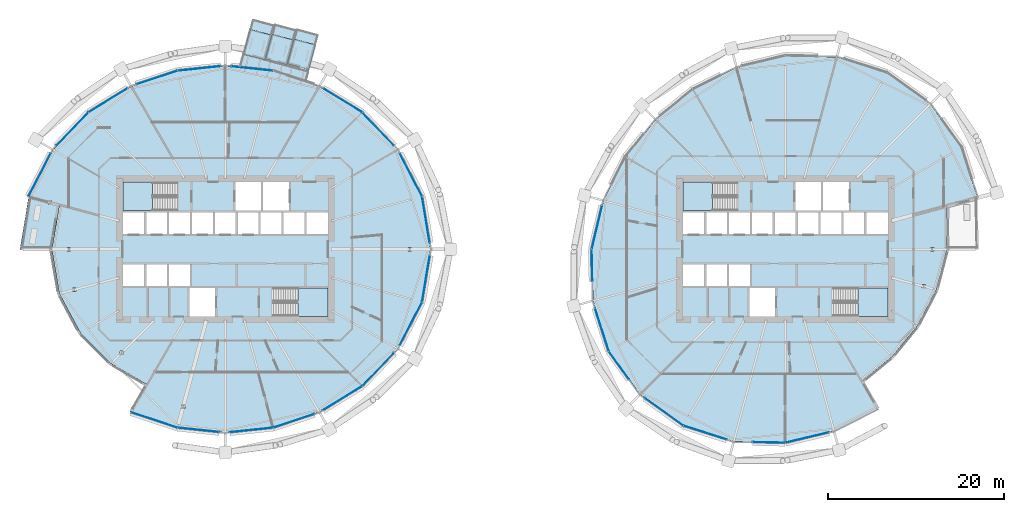
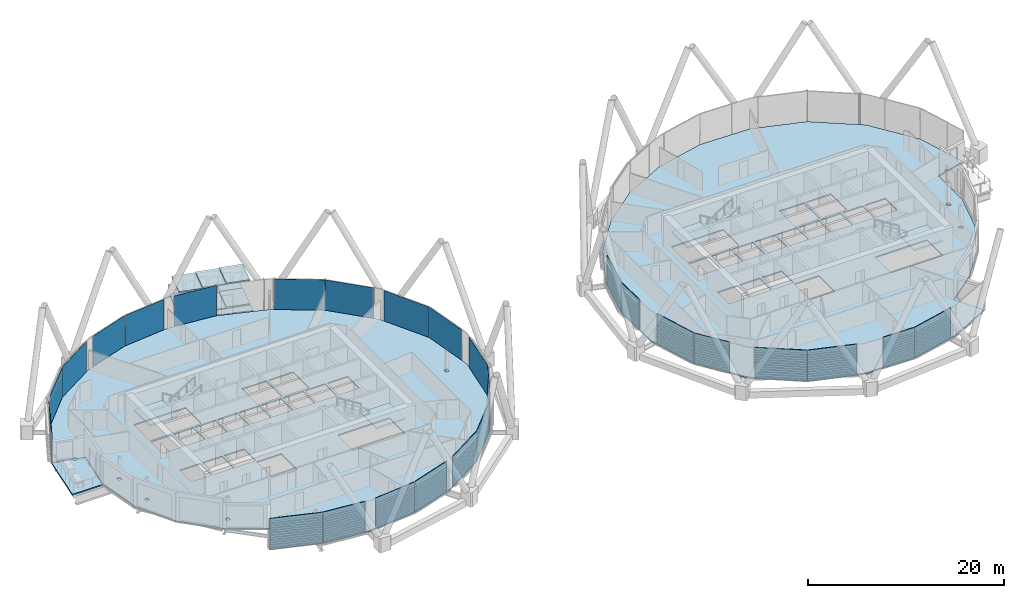
# One storey, part 22 of 38: 26 plates, 17 slabs, 6 elements without a shape of their own.
"""IFC4 building model written with IfcOpenShell, lengths in metres."""

from ifc_helpers import new_model, si_unit, direction, frame, origin, origin_2d, place, context, subcontext, project, spatial, polyline, rectangle, outline, extrude, material, layer, layer_set, type_object, element, aggregate, save


model = new_model("IFC4")

# Units and contexts
model_context = context("Model", 3, precision=1e-05, world=origin(), true_north=direction((0.0, 1.0)))
body_context = subcontext(model_context, "Body", "Model", "MODEL_VIEW")
ifc_project = project(units=[si_unit("LENGTHUNIT", "METRE"), si_unit("AREAUNIT", "SQUARE_METRE"), si_unit("VOLUMEUNIT", "CUBIC_METRE"), si_unit("PLANEANGLEUNIT", "RADIAN"), si_unit("MASSUNIT", "GRAM", prefix="KILO")], contexts=[model_context])

# Site, building, storey
site_placement = place(None, origin())
site = spatial("IfcSite", under=ifc_project, at=site_placement, CompositionType="ELEMENT")
building_placement = place(site_placement, origin())
building = spatial("IfcBuilding", under=site, at=building_placement, Name="Rimbun Link Towers", CompositionType="ELEMENT")
storey_placement = place(building_placement, frame((0.0, 0.0, 104.39990234375)))
storey = spatial("IfcBuildingStorey", under=building, at=storey_placement, Name="L25", CompositionType="ELEMENT", Elevation=104.39990234375)

# Slabs
ifc_material_1 = material(Name="Insulated metal floor panel on steel frame", Category="steel")
ifc_layer_1 = layer(ifc_material_1, 0.159912109375)
ifc_layer_set_1 = layer_set([ifc_layer_1], Name="CAPSULE balcony panel 160")
slab_type_1 = type_object("IfcSlabType", Name="CAPSULE balcony panel 160", PredefinedType="FLOOR", material=ifc_layer_set_1)
slab_1_placement = place(storey_placement, frame((0.0, 0.0, -0.159912109375)))
element("IfcSlab", 1, at=slab_1_placement, inside=storey, type_object=slab_type_1, Name="CAPSULE D251.01 balcony floor", PredefinedType="FLOOR", context=body_context, shape_type="SweptSolid", body=[
    extrude(outline(polyline([(-26.2685546875, 25.34716796875), (-28.584716796875, 25.9755859375), (-28.872802734375, 24.913818359375), (-26.556640625, 24.285400390625), (-26.2685546875, 25.34716796875)])), origin(), (0.0, 0.0, 1.0), 0.159912109375),
])
slab_2_placement = place(storey_placement, frame((0.0, 0.0, -0.159912109375)))
element("IfcSlab", 2, at=slab_2_placement, inside=storey, type_object=slab_type_1, Name="CAPSULE D251.02 balcony floor", PredefinedType="FLOOR", context=body_context, shape_type="SweptSolid", body=[
    extrude(outline(polyline([(-23.77880859375, 24.795654296875), (-26.09521484375, 25.424072265625), (-26.383056640625, 24.362548828125), (-24.06689453125, 23.734130859375), (-23.77880859375, 24.795654296875)])), origin(), (0.0, 0.0, 1.0), 0.159912109375),
])
slab_3_placement = place(storey_placement, frame((0.0, 0.0, -0.159912109375)))
element("IfcSlab", 3, at=slab_3_placement, inside=storey, type_object=slab_type_1, Name="CAPSULE D251.03 balcony floor", PredefinedType="FLOOR", context=body_context, shape_type="SweptSolid", body=[
    extrude(outline(polyline([(-21.289306640625, 24.244140625), (-23.60546875, 24.872802734375), (-23.8935546875, 23.81103515625), (-21.5771484375, 23.1826171875), (-21.289306640625, 24.244140625)])), origin(), (0.0, 0.0, 1.0), 0.159912109375),
])
slab_4_placement = place(storey_placement, frame((0.0, 0.0, -0.159912109375)))
element("IfcSlab", 4, at=slab_4_placement, inside=storey, type_object=slab_type_1, Name="CAPSULE D251 gallery floor", PredefinedType="FLOOR", context=body_context, shape_type="SweptSolid", body=[
    extrude(outline(polyline([(-25.904296875, 20.233642578125), (-25.919921875, 20.18603515625), (-24.552978515625, 19.733154296875), (-24.537353515625, 19.780517578125), (-22.620849609375, 19.1455078125), (-22.35107421875, 20.139404296875), (-29.680419921875, 22.128173828125), (-30.0517578125, 20.760009765625), (-26.30078125, 20.364990234375), (-25.904296875, 20.233642578125)])), origin(), (0.0, 0.0, 1.0), 0.159912109375),
])
ifc_material_2 = material(Name="Insulated metal floor panel on steel frame", Category="steel")
ifc_layer_2 = layer(ifc_material_2, 0.159912109375)
ifc_layer_set_2 = layer_set([ifc_layer_2], Name="CAPSULE floor panel 160")
slab_type_2 = type_object("IfcSlabType", Name="CAPSULE floor panel 160", PredefinedType="FLOOR", material=ifc_layer_set_2)
slab_5_placement = place(storey_placement, frame((0.0, 0.0, -0.159912109375)))
element("IfcSlab", 5, at=slab_5_placement, inside=storey, type_object=slab_type_2, Name="CAPSULE D251.01 floor panel", PredefinedType="FLOOR", context=body_context, shape_type="SweptSolid", body=[
    extrude(outline(polyline([(-26.50830078125, 24.2724609375), (-28.921142578125, 24.927001953125), (-29.680419921875, 22.128173828125), (-27.267822265625, 21.4736328125), (-26.50830078125, 24.2724609375)])), origin(), (0.0, 0.0, 1.0), 0.159912109375),
])
slab_6_placement = place(storey_placement, frame((0.0, 0.0, -0.159912109375)))
element("IfcSlab", 6, at=slab_6_placement, inside=storey, type_object=slab_type_2, Name="CAPSULE D251.02 floor panel", PredefinedType="FLOOR", context=body_context, shape_type="SweptSolid", body=[
    extrude(outline(polyline([(-24.0185546875, 23.720947265625), (-26.431396484375, 24.37548828125), (-27.19091796875, 21.57666015625), (-24.778076171875, 20.922119140625), (-24.0185546875, 23.720947265625)])), origin(), (0.0, 0.0, 1.0), 0.159912109375),
])
slab_7_placement = place(storey_placement, frame((0.0, 0.0, -0.159912109375)))
element("IfcSlab", 7, at=slab_7_placement, inside=storey, type_object=slab_type_2, Name="CAPSULE D251.03 floor panel", PredefinedType="FLOOR", context=body_context, shape_type="SweptSolid", body=[
    extrude(outline(polyline([(-21.529052734375, 23.16943359375), (-23.941650390625, 23.82421875), (-24.701171875, 21.025390625), (-22.288330078125, 20.37060546875), (-21.529052734375, 23.16943359375)])), origin(), (0.0, 0.0, 1.0), 0.159912109375),
])
ifc_material_3 = material(Name="Insulated metal roof panel with terracotta fascia", Category="masonry")
ifc_layer_3 = layer(ifc_material_3, 0.14990234375)
ifc_layer_set_3 = layer_set([ifc_layer_3], Name="CAPSULE roof panel 150")
slab_type_3 = type_object("IfcSlabType", Name="CAPSULE roof panel 150", PredefinedType="ROOF", material=ifc_layer_set_3)
slab_8_placement = place(storey_placement, frame((0.0, 0.0, 2.85009765625)))
element("IfcSlab", 8, at=slab_8_placement, inside=storey, type_object=slab_type_3, Name="CAPSULE D251.01 roof panel", PredefinedType="ROOF", context=body_context, shape_type="SweptSolid", body=[
    extrude(outline(polyline([(-26.50830078125, 24.2724609375), (-28.921142578125, 24.927001953125), (-29.680419921875, 22.128173828125), (-27.267822265625, 21.4736328125), (-26.50830078125, 24.2724609375)])), origin(), (0.0, 0.0, 1.0), 0.14990234375),
])
slab_9_placement = place(storey_placement, frame((0.0, 0.0, 2.85009765625)))
element("IfcSlab", 9, at=slab_9_placement, inside=storey, type_object=slab_type_3, Name="CAPSULE D251.02 roof panel", PredefinedType="ROOF", context=body_context, shape_type="SweptSolid", body=[
    extrude(outline(polyline([(-24.0185546875, 23.720947265625), (-26.431396484375, 24.37548828125), (-27.19091796875, 21.57666015625), (-24.778076171875, 20.922119140625), (-24.0185546875, 23.720947265625)])), origin(), (0.0, 0.0, 1.0), 0.14990234375),
])
slab_10_placement = place(storey_placement, frame((0.0, 0.0, 2.85009765625)))
element("IfcSlab", 10, at=slab_10_placement, inside=storey, type_object=slab_type_3, Name="CAPSULE D251.03 roof panel", PredefinedType="ROOF", context=body_context, shape_type="SweptSolid", body=[
    extrude(outline(polyline([(-21.529052734375, 23.16943359375), (-23.941650390625, 23.82421875), (-24.701171875, 21.025390625), (-22.288330078125, 20.37060546875), (-21.529052734375, 23.16943359375)])), origin(), (0.0, 0.0, 1.0), 0.14990234375),
])
ifc_material_4 = material(Name="Concrete C35/45", Category="concrete")
ifc_layer_4 = layer(ifc_material_4, 0.159912109375)
ifc_layer_set_4 = layer_set([ifc_layer_4], Name="COMPOSITE FLOOR 160")
slab_type_4 = type_object("IfcSlabType", Name="COMPOSITE FLOOR 160", PredefinedType="FLOOR", material=ifc_layer_set_4)
slab_11_placement = place(storey_placement, frame((0.0, 0.0, -0.159912109375)))
element("IfcSlab", 11, at=slab_11_placement, inside=storey, type_object=slab_type_4, Name="Floor slab T1 L25", PredefinedType="FLOOR", context=body_context, shape_type="SweptSolid", body=[
    extrude(outline(polyline([(-54.050048828125, 5.975341796875), (-51.30126953125, 11.287841796875), (-47.256591796875, 15.506591796875), (-42.41796875, 18.4775390625), (-37.167236328125, 20.217529296875), (-31.75, 20.7880859375), (-26.332763671875, 20.217529296875), (-21.08203125, 18.4775390625), (-16.243408203125, 15.506591796875), (-12.19873046875, 11.287841796875), (-9.449951171875, 5.975341796875), (-8.46728515625, 0.0), (-9.449951171875, -5.975341796875), (-12.19873046875, -11.287841796875), (-16.243408203125, -15.506591796875), (-21.08203125, -18.4775390625), (-26.332763671875, -20.217529296875), (-31.75, -20.7880859375), (-37.167236328125, -20.217529296875), (-42.41796875, -18.4775390625), (-40.617919921875, -15.35986328125), (-44.7109375, -12.9609375), (-48.18359375, -9.48779296875), (-50.57275390625, -5.04345703125), (-51.4326171875, 0.0), (-50.57275390625, 5.04345703125), (-51.4619140625, 5.28173828125), (-51.4619140625, 5.531982421875), (-51.86083984375, 5.531982421875), (-51.86083984375, 5.388671875), (-54.050048828125, 5.975341796875)]), holes=[polyline([(-36.32861328125, -18.029296875), (-36.32861328125, -17.6357421875), (-36.727783203125, -17.6357421875), (-36.727783203125, -18.029296875), (-36.32861328125, -18.029296875)]), polyline([(-43.294921875, -11.94140625), (-43.294921875, -11.547607421875), (-43.694091796875, -11.547607421875), (-43.694091796875, -11.94140625), (-43.294921875, -11.94140625)]), polyline([(-48.6826171875, -4.787353515625), (-48.6826171875, -4.393798828125), (-49.081787109375, -4.393798828125), (-49.081787109375, -4.787353515625), (-48.6826171875, -4.787353515625)]), polyline([(-43.375, -4.14990234375), (-40.95556640625, -4.14990234375), (-40.95556640625, -1.75), (-43.375, -1.75), (-43.375, -4.14990234375)]), polyline([(-40.70556640625, -4.14990234375), (-38.361083984375, -4.14990234375), (-38.361083984375, -1.75), (-40.70556640625, -1.75), (-40.70556640625, -4.14990234375)]), polyline([(-35.7666015625, -4.14990234375), (-35.7666015625, -1.75), (-38.111083984375, -1.75), (-38.111083984375, -4.14990234375), (-35.7666015625, -4.14990234375)]), polyline([(-49.680908203125, -0.19677734375), (-49.281982421875, -0.19677734375), (-49.281982421875, 0.19677734375), (-49.680908203125, 0.19677734375), (-49.680908203125, -0.19677734375)]), polyline([(-43.375, 1.75), (-40.95556640625, 1.75), (-40.95556640625, 4.14990234375), (-43.375, 4.14990234375), (-43.375, 1.75)]), polyline([(-38.361083984375, 1.75), (-38.361083984375, 4.14990234375), (-40.70556640625, 4.14990234375), (-40.70556640625, 1.75), (-38.361083984375, 1.75)]), polyline([(-38.111083984375, 1.75), (-35.7666015625, 1.75), (-35.7666015625, 4.14990234375), (-38.111083984375, 4.14990234375), (-38.111083984375, 1.75)]), polyline([(-37.260009765625, 4.39990234375), (-37.260009765625, 7.625), (-43.375, 7.625), (-43.375, 4.39990234375), (-37.260009765625, 4.39990234375)]), polyline([(-35.800048828125, -7.625), (-32.89990234375, -7.625), (-32.89990234375, -4.39990234375), (-35.800048828125, -4.39990234375), (-35.800048828125, -7.625)]), polyline([(-26.239990234375, -7.625), (-20.125, -7.625), (-20.125, -4.39990234375), (-26.239990234375, -4.39990234375), (-26.239990234375, -7.625)]), polyline([(-10.646240234375, -0.19677734375), (-10.646240234375, 0.19677734375), (-11.04541015625, 0.19677734375), (-11.04541015625, -0.19677734375), (-10.646240234375, -0.19677734375)]), polyline([(-35.5166015625, 1.75), (-33.172119140625, 1.75), (-33.172119140625, 4.14990234375), (-35.5166015625, 4.14990234375), (-35.5166015625, 1.75)]), polyline([(-32.922119140625, 1.75), (-30.577880859375, 1.75), (-30.577880859375, 4.14990234375), (-32.922119140625, 4.14990234375), (-32.922119140625, 1.75)]), polyline([(-27.9833984375, 1.75), (-27.9833984375, 4.14990234375), (-30.327880859375, 4.14990234375), (-30.327880859375, 1.75), (-27.9833984375, 1.75)]), polyline([(-27.7333984375, 1.75), (-25.388916015625, 1.75), (-25.388916015625, 4.14990234375), (-27.7333984375, 4.14990234375), (-27.7333984375, 1.75)]), polyline([(-25.138916015625, 1.75), (-22.79443359375, 1.75), (-22.79443359375, 4.14990234375), (-25.138916015625, 4.14990234375), (-25.138916015625, 1.75)]), polyline([(-20.125, 1.75), (-20.125, 4.14990234375), (-22.54443359375, 4.14990234375), (-22.54443359375, 1.75), (-20.125, 1.75)]), polyline([(-30.60009765625, 4.39990234375), (-27.699951171875, 4.39990234375), (-27.699951171875, 7.625), (-30.60009765625, 7.625), (-30.60009765625, 4.39990234375)]), polyline([(-27.449951171875, 4.39990234375), (-24.550048828125, 4.39990234375), (-24.550048828125, 7.625), (-27.449951171875, 7.625), (-27.449951171875, 4.39990234375)])]), origin(), (0.0, 0.0, 1.0), 0.159912109375),
])
slab_12_placement = place(storey_placement, frame((0.0, 0.0, -0.159912109375)))
element("IfcSlab", 12, at=slab_12_placement, inside=storey, type_object=slab_type_4, Name="Floor slab T2 L25", PredefinedType="FLOOR", context=body_context, shape_type="SweptSolid", body=[
    extrude(outline(polyline([(50.0791015625, 4.911376953125), (50.07958984375, 0.0), (48.881591796875, -4.59033203125), (46.7587890625, -8.665283203125), (43.90380859375, -12.15380859375), (40.415283203125, -15.0087890625), (42.21533203125, -18.12646484375), (37.272216796875, -20.60888671875), (31.75, -21.9296875), (25.906982421875, -21.806396484375), (20.20654296875, -19.99365234375), (15.28662109375, -16.46337890625), (11.75634765625, -11.54345703125), (9.943603515625, -5.843017578125), (9.8203125, 0.0), (11.14111328125, 5.522216796875), (13.62353515625, 10.46533203125), (17.050537109375, 14.699462890625), (21.28466796875, 18.12646484375), (26.227783203125, 20.60888671875), (31.75, 21.9296875), (37.593017578125, 21.806396484375), (43.29345703125, 19.99365234375), (48.21337890625, 16.46337890625), (51.74365234375, 11.54345703125), (53.556396484375, 5.843017578125), (51.468505859375, 5.28369140625), (51.468505859375, 5.427001953125), (51.069580078125, 5.427001953125), (51.069580078125, 5.1767578125), (50.0791015625, 4.911376953125)]), holes=[polyline([(30.60009765625, -7.625), (30.60009765625, -4.39990234375), (27.699951171875, -4.39990234375), (27.699951171875, -7.625), (30.60009765625, -7.625)]), polyline([(22.54443359375, -4.14990234375), (22.54443359375, -1.75), (20.125, -1.75), (20.125, -4.14990234375), (22.54443359375, -4.14990234375)]), polyline([(25.138916015625, -4.14990234375), (25.138916015625, -1.75), (22.79443359375, -1.75), (22.79443359375, -4.14990234375), (25.138916015625, -4.14990234375)]), polyline([(25.388916015625, -4.14990234375), (27.7333984375, -4.14990234375), (27.7333984375, -1.75), (25.388916015625, -1.75), (25.388916015625, -4.14990234375)]), polyline([(20.125, 1.75), (22.54443359375, 1.75), (22.54443359375, 4.14990234375), (20.125, 4.14990234375), (20.125, 1.75)]), polyline([(25.138916015625, 1.75), (25.138916015625, 4.14990234375), (22.79443359375, 4.14990234375), (22.79443359375, 1.75), (25.138916015625, 1.75)]), polyline([(27.7333984375, 1.75), (27.7333984375, 4.14990234375), (25.388916015625, 4.14990234375), (25.388916015625, 1.75), (27.7333984375, 1.75)]), polyline([(30.327880859375, 1.75), (30.327880859375, 4.14990234375), (27.9833984375, 4.14990234375), (27.9833984375, 1.75), (30.327880859375, 1.75)]), polyline([(30.577880859375, 1.75), (32.922119140625, 1.75), (32.922119140625, 4.14990234375), (30.577880859375, 4.14990234375), (30.577880859375, 1.75)]), polyline([(20.125, 4.39990234375), (26.239990234375, 4.39990234375), (26.239990234375, 7.625), (20.125, 7.625), (20.125, 4.39990234375)]), polyline([(43.375, -7.625), (43.375, -4.39990234375), (37.260009765625, -4.39990234375), (37.260009765625, -7.625), (43.375, -7.625)]), polyline([(47.659423828125, -4.40625), (47.659423828125, -4.0126953125), (47.260498046875, -4.0126953125), (47.260498046875, -4.40625), (47.659423828125, -4.40625)]), polyline([(48.593994140625, -0.19677734375), (48.593994140625, 0.19677734375), (48.195068359375, 0.19677734375), (48.195068359375, -0.19677734375), (48.593994140625, -0.19677734375)]), polyline([(33.172119140625, 1.75), (35.5166015625, 1.75), (35.5166015625, 4.14990234375), (33.172119140625, 4.14990234375), (33.172119140625, 1.75)]), polyline([(35.7666015625, 1.75), (38.111083984375, 1.75), (38.111083984375, 4.14990234375), (35.7666015625, 4.14990234375), (35.7666015625, 1.75)]), polyline([(40.70556640625, 1.75), (40.70556640625, 4.14990234375), (38.361083984375, 4.14990234375), (38.361083984375, 1.75), (40.70556640625, 1.75)]), polyline([(43.375, 1.75), (43.375, 4.14990234375), (40.95556640625, 4.14990234375), (40.95556640625, 1.75), (43.375, 1.75)]), polyline([(32.89990234375, 4.39990234375), (35.800048828125, 4.39990234375), (35.800048828125, 7.625), (32.89990234375, 7.625), (32.89990234375, 4.39990234375)]), polyline([(36.050048828125, 4.39990234375), (38.949951171875, 4.39990234375), (38.949951171875, 7.625), (36.050048828125, 7.625), (36.050048828125, 4.39990234375)])]), origin(), (0.0, 0.0, 1.0), 0.159912109375),
])

# Curtain wall, plates
ifc_material_5 = material(Name="Aluminium 6063-T6 and low-iron glass", Category="aluminium")
curtain_wall_type = type_object("IfcCurtainWallType", Name="CW1-Z2 unitised vision wall (zone 2)", PredefinedType="NOTDEFINED", material=ifc_material_5)
curtain_wall_1_placement = place(storey_placement, origin())
curtain_wall_1 = element("IfcCurtainWall", 13, at=curtain_wall_1_placement, inside=storey, type_object=curtain_wall_type, Name="CW1 L25 T1", PredefinedType="NOTDEFINED")
ifc_material_6 = material(Name="Low-iron glass, laminated low-e unit", Category="glass")
ifc_layer_5 = layer(ifc_material_6, 0.028076171875)
ifc_layer_set_5 = layer_set([ifc_layer_5], Name="CW1 panel Low-iron glass 28")
plate_type = type_object("IfcPlateType", Name="CW1 panel Low-iron glass 28", PredefinedType="CURTAIN_PANEL", material=ifc_layer_set_5)
plate_1_placement = place(storey_placement, frame((-9.005615234375, 3.35986328125, 0.0), z_axis=(0.0, 0.0, 1.0), x_axis=(0.162248230183, -0.986749974311, 0.0)))
plate_1 = element("IfcPlate", 14, at=plate_1_placement, type_object=plate_type, Name="CW1 panel", PredefinedType="CURTAIN_PANEL", context=body_context, shape_type="SweptSolid", body=[
    extrude(rectangle(XDim=5.265625, YDim=0.028076171875, at=origin_2d()), origin(), (0.0, 0.0, 1.0), 3.800048828125),
])
plate_2_placement = place(storey_placement, frame((-10.70849609375, 8.438232421875, 0.0), z_axis=(0.0, 0.0, 1.0), x_axis=(0.459555260307, -0.888149178193, 0.0)))
plate_2 = element("IfcPlate", 15, at=plate_2_placement, type_object=plate_type, Name="CW1 panel", PredefinedType="CURTAIN_PANEL", context=body_context, shape_type="SweptSolid", body=[
    extrude(rectangle(XDim=5.49169921875, YDim=0.028076171875, at=origin_2d()), origin(), (0.0, 0.0, 1.0), 3.800048828125),
])
plate_3_placement = place(storey_placement, frame((-14.418701171875, 13.62353515625, 0.0), z_axis=(0.0, 0.0, 1.0), x_axis=(0.692055116379, -0.721844661886, 0.0)))
plate_3 = element("IfcPlate", 16, at=plate_3_placement, type_object=plate_type, Name="CW1 panel", PredefinedType="CURTAIN_PANEL", context=body_context, shape_type="SweptSolid", body=[
    extrude(rectangle(XDim=5.204345703125, YDim=0.028076171875, at=origin_2d()), origin(), (0.0, 0.0, 1.0), 3.800048828125),
])
plate_4_placement = place(storey_placement, frame((-18.463623046875, 16.88623046875, 0.0), z_axis=(0.0, 0.0, 1.0), x_axis=(0.852184590101, -0.523241267863, 0.0)))
plate_4 = element("IfcPlate", 17, at=plate_4_placement, type_object=plate_type, Name="CW1 panel", PredefinedType="CURTAIN_PANEL", context=body_context, shape_type="SweptSolid", body=[
    extrude(rectangle(XDim=5.18798828125, YDim=0.028076171875, at=origin_2d()), origin(), (0.0, 0.0, 1.0), 3.800048828125),
])
plate_5_placement = place(storey_placement, frame((-28.716552734375, 20.482666015625, 0.0), z_axis=(0.0, 0.0, 1.0), x_axis=(0.994500522859, -0.104731609524, 0.0)))
plate_5 = element("IfcPlate", 18, at=plate_5_placement, type_object=plate_type, Name="CW1 panel", PredefinedType="CURTAIN_PANEL", context=body_context, shape_type="SweptSolid", body=[
    extrude(rectangle(XDim=4.75732421875, YDim=0.028076171875, at=origin_2d()), origin(), (0.0, 0.0, 1.0), 3.800048828125),
])
plate_6_placement = place(storey_placement, frame((-34.708740234375, 20.490478515625, 0.0), z_axis=(0.0, 0.0, 1.0), x_axis=(0.994500522859, 0.104731609524, 0.0)))
plate_6 = element("IfcPlate", 19, at=plate_6_placement, type_object=plate_type, Name="CW1 panel", PredefinedType="CURTAIN_PANEL", context=body_context, shape_type="SweptSolid", body=[
    extrude(rectangle(XDim=4.9072265625, YDim=0.028076171875, at=origin_2d()), origin(), (0.0, 0.0, 1.0), 3.800048828125),
])
plate_7_placement = place(storey_placement, frame((-39.51220703125, 19.455078125, 0.0), z_axis=(0.0, 0.0, 1.0), x_axis=(0.949236840481, 0.314562268358, 0.0)))
plate_7 = element("IfcPlate", 20, at=plate_7_placement, type_object=plate_type, Name="CW1 panel", PredefinedType="CURTAIN_PANEL", context=body_context, shape_type="SweptSolid", body=[
    extrude(rectangle(XDim=4.8916015625, YDim=0.028076171875, at=origin_2d()), origin(), (0.0, 0.0, 1.0), 3.800048828125),
])
plate_8_placement = place(storey_placement, frame((-45.036376953125, 16.88623046875, 0.0), z_axis=(0.0, 0.0, 1.0), x_axis=(0.852184590101, 0.523241267863, 0.0)))
plate_8 = element("IfcPlate", 21, at=plate_8_placement, type_object=plate_type, Name="CW1 panel", PredefinedType="CURTAIN_PANEL", context=body_context, shape_type="SweptSolid", body=[
    extrude(rectangle(XDim=5.18798828125, YDim=0.028076171875, at=origin_2d()), origin(), (0.0, 0.0, 1.0), 3.800048828125),
])
plate_9_placement = place(storey_placement, frame((-49.0986328125, 13.60546875, 0.0), z_axis=(0.0, 0.0, 1.0), x_axis=(0.692055116379, 0.721844661886, 0.0)))
plate_9 = element("IfcPlate", 22, at=plate_9_placement, type_object=plate_type, Name="CW1 panel", PredefinedType="CURTAIN_PANEL", context=body_context, shape_type="SweptSolid", body=[
    extrude(rectangle(XDim=5.25439453125, YDim=0.028076171875, at=origin_2d()), origin(), (0.0, 0.0, 1.0), 3.800048828125),
])
plate_10_placement = place(storey_placement, frame((-52.79150390625, 8.438232421875, 0.0), z_axis=(0.0, 0.0, 1.0), x_axis=(0.459555260307, 0.888149178193, 0.0)))
plate_10 = element("IfcPlate", 23, at=plate_10_placement, type_object=plate_type, Name="CW1 panel", PredefinedType="CURTAIN_PANEL", context=body_context, shape_type="SweptSolid", body=[
    extrude(rectangle(XDim=5.49169921875, YDim=0.028076171875, at=origin_2d()), origin(), (0.0, 0.0, 1.0), 3.800048828125),
])
plate_11_placement = place(storey_placement, frame((-39.797119140625, -19.36083984375, 0.0), z_axis=(0.0, 0.0, 1.0), x_axis=(-0.949236840481, 0.314562268358, 0.0)))
plate_11 = element("IfcPlate", 24, at=plate_11_placement, type_object=plate_type, Name="CW1 panel", PredefinedType="CURTAIN_PANEL", context=body_context, shape_type="SweptSolid", body=[
    extrude(rectangle(XDim=5.491455078125, YDim=0.028076171875, at=origin_2d()), origin(), (0.0, 0.0, 1.0), 3.800048828125),
])
plate_12_placement = place(storey_placement, frame((-34.80810546875, -20.47998046875, 0.0), z_axis=(0.0, 0.0, 1.0), x_axis=(-0.994500522859, 0.104731609524, 0.0)))
plate_12 = element("IfcPlate", 25, at=plate_12_placement, type_object=plate_type, Name="CW1 panel", PredefinedType="CURTAIN_PANEL", context=body_context, shape_type="SweptSolid", body=[
    extrude(rectangle(XDim=4.707275390625, YDim=0.028076171875, at=origin_2d()), origin(), (0.0, 0.0, 1.0), 3.800048828125),
])
plate_13_placement = place(storey_placement, frame((-28.791259765625, -20.490478515625, 0.0), z_axis=(0.0, 0.0, 1.0), x_axis=(-0.994500522859, -0.104731609524, 0.0)))
plate_13 = element("IfcPlate", 26, at=plate_13_placement, type_object=plate_type, Name="CW1 panel", PredefinedType="CURTAIN_PANEL", context=body_context, shape_type="SweptSolid", body=[
    extrude(rectangle(XDim=4.9072265625, YDim=0.028076171875, at=origin_2d()), origin(), (0.0, 0.0, 1.0), 3.800048828125),
])
plate_14_placement = place(storey_placement, frame((-23.98779296875, -19.455078125, 0.0), z_axis=(0.0, 0.0, 1.0), x_axis=(-0.949236840481, -0.314562268358, 0.0)))
plate_14 = element("IfcPlate", 27, at=plate_14_placement, type_object=plate_type, Name="CW1 panel", PredefinedType="CURTAIN_PANEL", context=body_context, shape_type="SweptSolid", body=[
    extrude(rectangle(XDim=4.8916015625, YDim=0.028076171875, at=origin_2d()), origin(), (0.0, 0.0, 1.0), 3.800048828125),
])
plate_15_placement = place(storey_placement, frame((-18.463623046875, -16.88623046875, 0.0), z_axis=(0.0, 0.0, 1.0), x_axis=(-0.852184590101, -0.523241267863, 0.0)))
plate_15 = element("IfcPlate", 28, at=plate_15_placement, type_object=plate_type, Name="CW1 panel", PredefinedType="CURTAIN_PANEL", context=body_context, shape_type="SweptSolid", body=[
    extrude(rectangle(XDim=5.18798828125, YDim=0.028076171875, at=origin_2d()), origin(), (0.0, 0.0, 1.0), 3.800048828125),
])
plate_16_placement = place(storey_placement, frame((-14.418701171875, -13.62353515625, 0.0), z_axis=(0.0, 0.0, 1.0), x_axis=(-0.692055116379, -0.721844661886, 0.0)))
plate_16 = element("IfcPlate", 29, at=plate_16_placement, type_object=plate_type, Name="CW1 panel", PredefinedType="CURTAIN_PANEL", context=body_context, shape_type="SweptSolid", body=[
    extrude(rectangle(XDim=5.204345703125, YDim=0.028076171875, at=origin_2d()), origin(), (0.0, 0.0, 1.0), 3.800048828125),
])
plate_17_placement = place(storey_placement, frame((-10.70849609375, -8.438232421875, 0.0), z_axis=(0.0, 0.0, 1.0), x_axis=(-0.459555260307, -0.888149178193, 0.0)))
plate_17 = element("IfcPlate", 30, at=plate_17_placement, type_object=plate_type, Name="CW1 panel", PredefinedType="CURTAIN_PANEL", context=body_context, shape_type="SweptSolid", body=[
    extrude(rectangle(XDim=5.49169921875, YDim=0.028076171875, at=origin_2d()), origin(), (0.0, 0.0, 1.0), 3.800048828125),
])
plate_18_placement = place(storey_placement, frame((-9.001708984375, -3.335205078125, 0.0), z_axis=(0.0, 0.0, 1.0), x_axis=(-0.162248230183, -0.986749974311, 0.0)))
plate_18 = element("IfcPlate", 31, at=plate_18_placement, type_object=plate_type, Name="CW1 panel", PredefinedType="CURTAIN_PANEL", context=body_context, shape_type="SweptSolid", body=[
    extrude(rectangle(XDim=5.3154296875, YDim=0.028076171875, at=origin_2d()), origin(), (0.0, 0.0, 1.0), 3.800048828125),
])
aggregate(curtain_wall_1, [plate_1, plate_2, plate_3, plate_4, plate_5, plate_6, plate_7, plate_8, plate_9, plate_10, plate_11, plate_12, plate_13, plate_14, plate_15, plate_16, plate_17, plate_18])

curtain_wall_2_placement = place(storey_placement, origin())
curtain_wall_2 = element("IfcCurtainWall", 32, at=curtain_wall_2_placement, inside=storey, type_object=curtain_wall_type, Name="CW1 L25 T2", PredefinedType="NOTDEFINED")
plate_19_placement = place(storey_placement, frame((10.397216796875, 2.47265625, 0.0), z_axis=(0.0, 0.0, 1.0), x_axis=(0.232585526726, 0.972575947038, 0.0)))
plate_19 = element("IfcPlate", 33, at=plate_19_placement, type_object=plate_type, Name="CW1 panel", PredefinedType="CURTAIN_PANEL", context=body_context, shape_type="SweptSolid", body=[
    extrude(rectangle(XDim=5.037841796875, YDim=0.028076171875, at=origin_2d()), origin(), (0.0, 0.0, 1.0), 3.800048828125),
])
plate_20_placement = place(storey_placement, frame((9.8447265625, -1.822021484375, 0.0), z_axis=(0.0, 0.0, 1.0), x_axis=(-0.021063270517, 0.999778144708, 0.0)))
plate_20 = element("IfcPlate", 34, at=plate_20_placement, type_object=plate_type, Name="CW1 panel", PredefinedType="CURTAIN_PANEL", context=body_context, shape_type="SweptSolid", body=[
    extrude(rectangle(XDim=3.604248046875, YDim=0.028076171875, at=origin_2d()), origin(), (0.0, 0.0, 1.0), 3.800048828125),
])
plate_21_placement = place(storey_placement, frame((10.96533203125, -9.1025390625, 0.0), z_axis=(0.0, 0.0, 1.0), x_axis=(-0.303057366512, 0.952972314709, 0.0)))
plate_21 = element("IfcPlate", 35, at=plate_21_placement, type_object=plate_type, Name="CW1 panel", PredefinedType="CURTAIN_PANEL", context=body_context, shape_type="SweptSolid", body=[
    extrude(rectangle(XDim=5.091796875, YDim=0.028076171875, at=origin_2d()), origin(), (0.0, 0.0, 1.0), 3.800048828125),
])
plate_22_placement = place(storey_placement, frame((12.89794921875, -13.158447265625, 0.0), z_axis=(0.0, 0.0, 1.0), x_axis=(-0.583006707221, 0.812467340473, 0.0)))
plate_22 = element("IfcPlate", 36, at=plate_22_placement, type_object=plate_type, Name="CW1 panel", PredefinedType="CURTAIN_PANEL", context=body_context, shape_type="SweptSolid", body=[
    extrude(rectangle(XDim=3.91552734375, YDim=0.028076171875, at=origin_2d()), origin(), (0.0, 0.0, 1.0), 3.800048828125),
])
plate_23_placement = place(storey_placement, frame((18.00244140625, -18.429443359375, 0.0), z_axis=(0.0, 0.0, 1.0), x_axis=(-0.812467340473, 0.583006707221, 0.0)))
plate_23 = element("IfcPlate", 37, at=plate_23_placement, type_object=plate_type, Name="CW1 panel", PredefinedType="CURTAIN_PANEL", context=body_context, shape_type="SweptSolid", body=[
    extrude(rectangle(XDim=5.365478515625, YDim=0.028076171875, at=origin_2d()), origin(), (0.0, 0.0, 1.0), 3.800048828125),
])
plate_24_placement = place(storey_placement, frame((22.67138671875, -20.792236328125, 0.0), z_axis=(0.0, 0.0, 1.0), x_axis=(-0.952972314709, 0.303057366512, 0.0)))
plate_24 = element("IfcPlate", 38, at=plate_24_placement, type_object=plate_type, Name="CW1 panel", PredefinedType="CURTAIN_PANEL", context=body_context, shape_type="SweptSolid", body=[
    extrude(rectangle(XDim=5.1416015625, YDim=0.028076171875, at=origin_2d()), origin(), (0.0, 0.0, 1.0), 3.800048828125),
])
plate_25_placement = place(storey_placement, frame((29.903076171875, -21.90478515625, 0.0), z_axis=(0.0, 0.0, 1.0), x_axis=(-0.999778144708, 0.021063270517, 0.0)))
plate_25 = element("IfcPlate", 39, at=plate_25_placement, type_object=plate_type, Name="CW1 panel", PredefinedType="CURTAIN_PANEL", context=body_context, shape_type="SweptSolid", body=[
    extrude(rectangle(XDim=3.654296875, YDim=0.028076171875, at=origin_2d()), origin(), (0.0, 0.0, 1.0), 3.800048828125),
])
plate_26_placement = place(storey_placement, frame((34.22265625, -21.352783203125, 0.0), z_axis=(0.0, 0.0, 1.0), x_axis=(-0.972575947038, -0.232585526726, 0.0)))
plate_26 = element("IfcPlate", 40, at=plate_26_placement, type_object=plate_type, Name="CW1 panel", PredefinedType="CURTAIN_PANEL", context=body_context, shape_type="SweptSolid", body=[
    extrude(rectangle(XDim=5.037841796875, YDim=0.028076171875, at=origin_2d()), origin(), (0.0, 0.0, 1.0), 3.800048828125),
])
aggregate(curtain_wall_2, [plate_19, plate_20, plate_21, plate_22, plate_23, plate_24, plate_25, plate_26])

# Stair, slab
ifc_material_7 = material(Name="Concrete C40/50", Category="concrete")
stair_type = type_object("IfcStairType", Name="Exit stair 3800 rise", PredefinedType="HALF_TURN_STAIR", material=ifc_material_7)
stair_1_placement = place(storey_placement, origin())
stair_1 = element("IfcStair", 41, at=stair_1_placement, inside=storey, type_object=stair_type, Name="L25 EXIT STAIR A", PredefinedType="HALF_TURN_STAIR")
ifc_material_8 = material(Name="Concrete C40/50", Category="concrete")
ifc_layer_6 = layer(ifc_material_8, 0.199951171875)
ifc_layer_set_6 = layer_set([ifc_layer_6], Name="Stair landing")
slab_type_5 = type_object("IfcSlabType", Name="Stair landing", PredefinedType="LANDING", material=ifc_layer_set_6)
slab_13_placement = place(storey_placement, frame((0.0, 0.0, 1.7001953125)))
slab_13 = element("IfcSlab", 42, at=slab_13_placement, type_object=slab_type_5, Name="ST1 landing 1", PredefinedType="LANDING", context=body_context, shape_type="SweptSolid", body=[
    extrude(outline(polyline([(-40.0, 7.625), (-43.375, 7.625), (-43.375, 4.39990234375), (-40.0, 4.39990234375), (-40.0, 7.625)])), origin(), (0.0, 0.0, 1.0), 0.199951171875),
])
aggregate(stair_1, [slab_13])

stair_2_placement = place(storey_placement, origin())
stair_2 = element("IfcStair", 43, at=stair_2_placement, inside=storey, type_object=stair_type, Name="L25 EXIT STAIR B", PredefinedType="HALF_TURN_STAIR")
slab_14_placement = place(storey_placement, frame((0.0, 0.0, 1.7001953125)))
slab_14 = element("IfcSlab", 44, at=slab_14_placement, type_object=slab_type_5, Name="ST2 landing 1", PredefinedType="LANDING", context=body_context, shape_type="SweptSolid", body=[
    extrude(outline(polyline([(-23.5, -7.625), (-20.125, -7.625), (-20.125, -4.39990234375), (-23.5, -4.39990234375), (-23.5, -7.625)])), origin(), (0.0, 0.0, 1.0), 0.199951171875),
])
aggregate(stair_2, [slab_14])

stair_3_placement = place(storey_placement, origin())
stair_3 = element("IfcStair", 45, at=stair_3_placement, inside=storey, type_object=stair_type, Name="L25 EXIT STAIR A", PredefinedType="HALF_TURN_STAIR")
slab_15_placement = place(storey_placement, frame((0.0, 0.0, 1.7001953125)))
slab_15 = element("IfcSlab", 46, at=slab_15_placement, type_object=slab_type_5, Name="ST3 landing 1", PredefinedType="LANDING", context=body_context, shape_type="SweptSolid", body=[
    extrude(outline(polyline([(23.5, 7.625), (20.125, 7.625), (20.125, 4.39990234375), (23.5, 4.39990234375), (23.5, 7.625)])), origin(), (0.0, 0.0, 1.0), 0.199951171875),
])
aggregate(stair_3, [slab_15])

stair_4_placement = place(storey_placement, origin())
stair_4 = element("IfcStair", 47, at=stair_4_placement, inside=storey, type_object=stair_type, Name="L25 EXIT STAIR B", PredefinedType="HALF_TURN_STAIR")
slab_16_placement = place(storey_placement, frame((0.0, 0.0, 1.7001953125)))
slab_16 = element("IfcSlab", 48, at=slab_16_placement, type_object=slab_type_5, Name="ST4 landing 1", PredefinedType="LANDING", context=body_context, shape_type="SweptSolid", body=[
    extrude(outline(polyline([(40.0, -7.625), (43.375, -7.625), (43.375, -4.39990234375), (40.0, -4.39990234375), (40.0, -7.625)])), origin(), (0.0, 0.0, 1.0), 0.199951171875),
])
aggregate(stair_4, [slab_16])

# Slab
ifc_material_9 = material(Name="Concrete C35/45", Category="concrete")
ifc_layer_7 = layer(ifc_material_9, 0.159912109375)
ifc_layer_set_7 = layer_set([ifc_layer_7], Name="TERRACE SLAB 160")
slab_type_6 = type_object("IfcSlabType", Name="TERRACE SLAB 160", PredefinedType="FLOOR", material=ifc_layer_set_7)
slab_17_placement = place(storey_placement, frame((0.0, 0.0, -0.159912109375)))
element("IfcSlab", 49, at=slab_17_placement, inside=storey, type_object=slab_type_6, Name="Terrace slab T1 L25", PredefinedType="FLOOR", context=body_context, shape_type="SweptSolid", body=[
    extrude(outline(polyline([(-50.57275390625, 5.04345703125), (-51.4326171875, 0.0), (-55.03271484375, 0.0), (-54.050048828125, 5.975341796875), (-51.86083984375, 5.388671875), (-51.86083984375, 5.138427734375), (-51.4619140625, 5.138427734375), (-51.4619140625, 5.28173828125), (-50.57275390625, 5.04345703125)])), origin(), (0.0, 0.0, 1.0), 0.159912109375),
])

save(model, "model.ifc")
